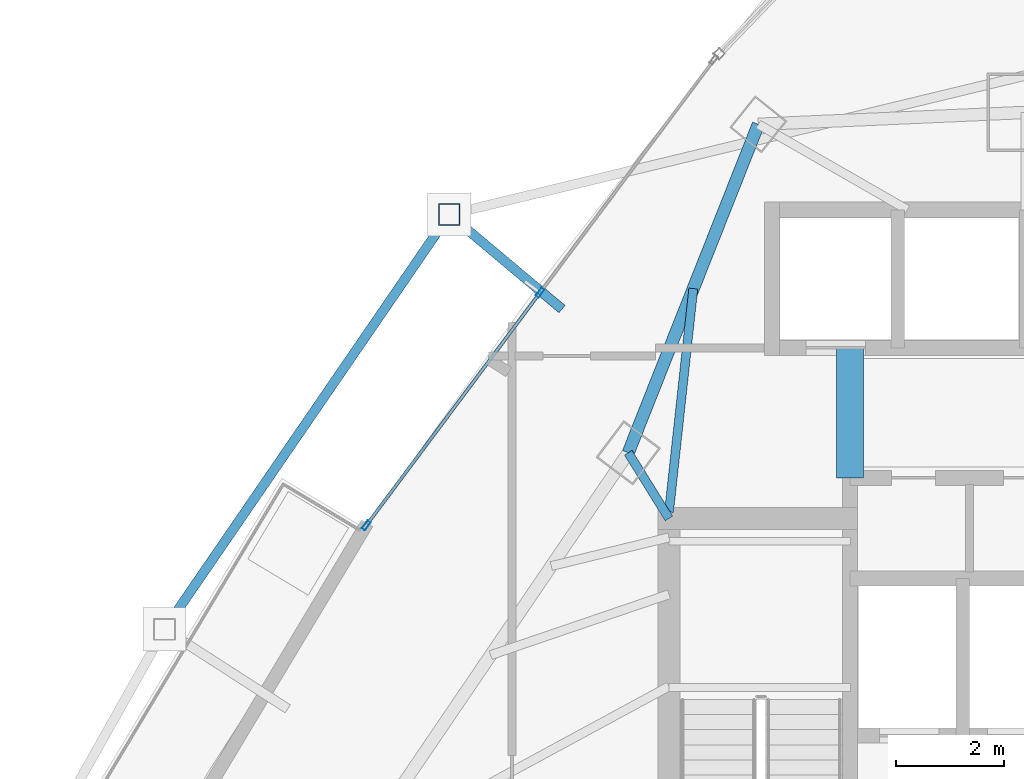
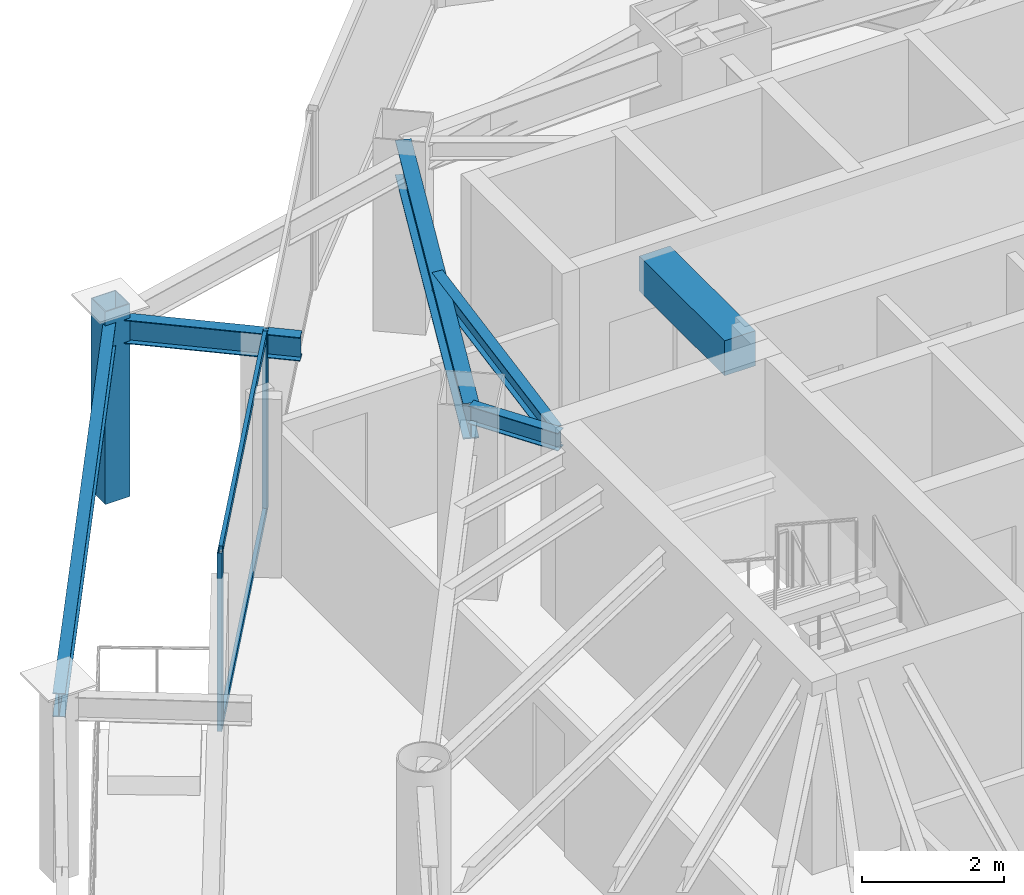
# One storey, part 19 of 29: 6 beams, 5 members, 1 element without a shape of its own.
"""IFC4 building model written with IfcOpenShell, lengths in metres."""

from ifc_helpers import new_model, si_unit, direction, frame, origin, origin_2d, place, context, subcontext, project, spatial, rectangle, hollow_rectangle, i_section, extrude, material, layer, layer_set, material_profile, profile_set, type_object, element, aggregate, save


model = new_model("IFC4")

# Units and contexts
model_context = context("Model", 3, precision=1e-05, world=origin(), true_north=direction((0.0, 1.0)))
body_context = subcontext(model_context, "Body", "Model", "MODEL_VIEW")
ifc_project = project(units=[si_unit("LENGTHUNIT", "METRE"), si_unit("AREAUNIT", "SQUARE_METRE"), si_unit("VOLUMEUNIT", "CUBIC_METRE"), si_unit("PLANEANGLEUNIT", "RADIAN"), si_unit("MASSUNIT", "GRAM", prefix="KILO")], contexts=[model_context])

# Site, building, storey
site_placement = place(None, origin())
site = spatial("IfcSite", under=ifc_project, at=site_placement, CompositionType="ELEMENT")
building_placement = place(site_placement, origin())
building = spatial("IfcBuilding", under=site, at=building_placement, Name="Orvanel Arch Residences", CompositionType="ELEMENT")
storey_placement = place(building_placement, frame((0.0, 0.0, 177.050048828125)))
storey = spatial("IfcBuildingStorey", under=building, at=storey_placement, Name="L50", CompositionType="ELEMENT", Elevation=177.050048828125)

# Beams
ifc_material_1 = material(Name="Structural steel AS/NZS 3679.1 Grade 300 (300 MPa)", Category="steel")
ifc_material_profile_1 = material_profile(ifc_material_1, i_section(OverallWidth=0.1650390625, OverallDepth=0.303955078125, WebThickness=0.006103515625, FlangeThickness=0.01025390625, at=origin_2d()), Name="310UB40.4")
ifc_profile_set_1 = profile_set([ifc_material_profile_1], Name="Structural steel AS/NZS 3679.1 Grade 300 (300 MPa)")
beam_type_1 = type_object("IfcBeamType", Name="BJ-310UB", PredefinedType="JOIST", material=ifc_profile_set_1)
beam_1_placement = place(storey_placement, frame((26.39990234375, 33.89990234375, 2.907958984375), z_axis=(-0.526843290616, 0.84996243866, 0.0), x_axis=(-0.84996243866, -0.526843290616, 0.0)))
element("IfcBeam", 1, at=beam_1_placement, inside=storey, type_object=beam_type_1, Name="L50 NNW Wing Floor Joist", PredefinedType="JOIST", context=body_context, shape_type="SweptSolid", body=[
    extrude(i_section(OverallWidth=0.1650390625, OverallDepth=0.303955078125, WebThickness=0.006103515625, FlangeThickness=0.01025390625, at=origin_2d()), origin(), (0.0, 0.0, 1.0), 1.42724609375),
])
beam_2_placement = place(storey_placement, frame((26.39990234375, 34.02001953125, 2.907958984375), z_axis=(0.108261441852, 0.99412245735, 0.0), x_axis=(-0.99412245735, 0.108261441852, 0.0)))
element("IfcBeam", 2, at=beam_2_placement, inside=storey, type_object=beam_type_1, Name="L50 NNW2 Wing Floor Joist", PredefinedType="JOIST", context=body_context, shape_type="SweptSolid", body=[
    extrude(i_section(OverallWidth=0.1650390625, OverallDepth=0.303955078125, WebThickness=0.006103515625, FlangeThickness=0.01025390625, at=origin_2d()), origin(), (0.0, 0.0, 1.0), 4.1494140625),
])
ifc_material_2 = material(Name="Concrete S65 (65 MPa)", Category="concrete")
ifc_material_profile_2 = material_profile(ifc_material_2, rectangle(XDim=0.5, YDim=0.60009765625, at=origin_2d()), Name="RC500x600")
ifc_profile_set_2 = profile_set([ifc_material_profile_2], Name="Concrete S65 (65 MPa)")
beam_type_2 = type_object("IfcBeamType", Name="CB-500x600", PredefinedType="LINTEL", material=ifc_profile_set_2)
beam_3_placement = place(storey_placement, frame((29.739990234375, 34.64990234375, 2.760009765625), z_axis=(0.0, 1.0, 0.0), x_axis=(-1.0, 0.0, 0.0)))
element("IfcBeam", 3, at=beam_3_placement, inside=storey, type_object=beam_type_2, Name="L50 West Core Lobby Coupling Lintel Beam", PredefinedType="LINTEL", context=body_context, shape_type="SweptSolid", body=[
    extrude(rectangle(XDim=0.5, YDim=0.60009765625, at=origin_2d()), origin(), (0.0, 0.0, 1.0), 2.400146484375),
])

# Curtain wall, members
ifc_material_3 = material(Name="Bronze-anodised aluminium AA6063-T6", Category="aluminium")
ifc_layer = layer(ifc_material_3, 0.179931640625)
ifc_layer_set = layer_set([ifc_layer], Name="Bronze-anodised aluminium AA6063-T6")
curtain_wall_type = type_object("IfcCurtainWallType", Name="CW3-MID-SYS", PredefinedType="NOTDEFINED", material=ifc_layer_set)
curtain_wall_placement = place(storey_placement, origin())
curtain_wall = element("IfcCurtainWall", 4, at=curtain_wall_placement, inside=storey, type_object=curtain_wall_type, Name="L50 CW3-MID-SYS Unitised Curtain Wall", PredefinedType="NOTDEFINED")
ifc_material_profile_3 = material_profile(ifc_material_3, hollow_rectangle(XDim=0.070068359375, YDim=0.179931640625, WallThickness=0.00439453125, at=origin_2d()), Name="ALU180x70x4.5")
ifc_profile_set_3 = profile_set([ifc_material_profile_3], Name="Bronze-anodised aluminium AA6063-T6")
member_type_1 = type_object("IfcMemberType", Name="MUL-180x70", PredefinedType="MULLION", material=ifc_profile_set_3)
member_1_placement = place(storey_placement, frame((24.01806640625, 38.069091796875, 0.0), z_axis=(0.0, 0.0, 1.0), x_axis=(0.801287325771, -0.598279718492, 0.0)))
member_1 = element("IfcMember", 5, at=member_1_placement, type_object=member_type_1, Name="CW-S3 mullion 2", PredefinedType="MULLION", context=body_context, shape_type="SweptSolid", body=[
    extrude(hollow_rectangle(XDim=0.070068359375, YDim=0.179931640625, WallThickness=0.00439453125, at=origin_2d()), origin(), (0.0, 0.0, 1.0), 3.06005859375),
])
member_2_placement = place(storey_placement, frame((20.808837890625, 33.77099609375, 0.0), z_axis=(0.0, 0.0, 1.0), x_axis=(0.801287325771, -0.598279718492, 0.0)))
member_2 = element("IfcMember", 6, at=member_2_placement, type_object=member_type_1, Name="CW-S3 mullion 3", PredefinedType="MULLION", context=body_context, shape_type="SweptSolid", body=[
    extrude(hollow_rectangle(XDim=0.070068359375, YDim=0.179931640625, WallThickness=0.00439453125, at=origin_2d()), origin(), (0.0, 0.0, 1.0), 3.06005859375),
])

# Beams
ifc_material_profile_4 = material_profile(ifc_material_1, i_section(OverallWidth=0.177978515625, OverallDepth=0.406005859375, WebThickness=0.0078125, FlangeThickness=0.0126953125, at=origin_2d()), Name="410UB59.7")
ifc_profile_set_4 = profile_set([ifc_material_profile_4], Name="Structural steel AS/NZS 3679.1 Grade 300 (300 MPa)")
beam_type_3 = type_object("IfcBeamType", Name="OB-410UB-EXT", PredefinedType="SPANDREL", material=ifc_profile_set_4)
beam_4_placement = place(storey_placement, frame((24.425048828125, 37.76611328125, 2.85693359375), z_axis=(-0.766258612411, 0.642532286275, 0.0), x_axis=(-0.642532286275, -0.766258612411, 0.0)))
element("IfcBeam", 7, at=beam_4_placement, inside=storey, type_object=beam_type_3, Name="L50 Outer Frame Radial Tie Beam 01", PredefinedType="SPANDREL", context=body_context, shape_type="SweptSolid", body=[
    extrude(i_section(OverallWidth=0.177978515625, OverallDepth=0.406005859375, WebThickness=0.0078125, FlangeThickness=0.0126953125, at=origin_2d()), origin(), (0.0, 0.0, 1.0), 2.717041015625),
])
beam_5_placement = place(storey_placement, frame((22.343017578125, 39.511962890625, 2.85693359375), z_axis=(-0.565911858994, -0.824465746923, 0.0), x_axis=(0.824465746923, -0.565911858994, 0.0)))
element("IfcBeam", 8, at=beam_5_placement, inside=storey, type_object=beam_type_3, Name="L50 Outer Perimeter Floor Ring Beam 01", PredefinedType="SPANDREL", context=body_context, shape_type="SweptSolid", body=[
    extrude(i_section(OverallWidth=0.177978515625, OverallDepth=0.406005859375, WebThickness=0.0078125, FlangeThickness=0.0126953125, at=origin_2d()), origin(), (0.0, 0.0, 1.0), 9.28955078125),
])
ifc_material_profile_5 = material_profile(ifc_material_1, i_section(OverallWidth=0.22900390625, OverallDepth=0.612060546875, WebThickness=0.011962890625, FlangeThickness=0.01953125, at=origin_2d()), Name="610UB125")
ifc_profile_set_5 = profile_set([ifc_material_profile_5], Name="Structural steel AS/NZS 3679.1 Grade 300 (300 MPa)")
beam_type_4 = type_object("IfcBeamType", Name="SP-610UB", PredefinedType="SPANDREL", material=ifc_profile_set_5)
beam_6_placement = place(storey_placement, frame((28.050048828125, 41.177978515625, 2.75390625), z_axis=(-0.368233143579, -0.929733484376, 0.0), x_axis=(0.929733484376, -0.368233143579, 0.0)))
element("IfcBeam", 9, at=beam_6_placement, inside=storey, type_object=beam_type_4, Name="L50 Perimeter Spandrel Beam 16", PredefinedType="SPANDREL", context=body_context, shape_type="SweptSolid", body=[
    extrude(i_section(OverallWidth=0.22900390625, OverallDepth=0.612060546875, WebThickness=0.011962890625, FlangeThickness=0.01953125, at=origin_2d()), origin(), (0.0, 0.0, 1.0), 6.523193359375),
])

# Member
ifc_material_4 = material(Name="Structural steel AS/NZS 1163 C450L0 (Grade 450)", Category="steel")
ifc_material_profile_6 = material_profile(ifc_material_4, hollow_rectangle(XDim=0.39990234375, YDim=0.39990234375, WallThickness=0.01611328125, at=origin_2d()), Name="SHS400x400x16")
ifc_profile_set_6 = profile_set([ifc_material_profile_6], Name="Structural steel AS/NZS 1163 C450L0 (Grade 450)")
member_type_2 = type_object("IfcMemberType", Name="ST-400SHS-EXT", PredefinedType="STRUT", material=ifc_profile_set_6)
member_3_placement = place(storey_placement, frame((22.343017578125, 39.511962890625, 0.0), z_axis=(0.0, 0.0, 1.0), x_axis=(1.0, 0.0, 0.0)))
element("IfcMember", 10, at=member_3_placement, inside=storey, type_object=member_type_2, Name="L50 Outer Perimeter Frame Post 01", PredefinedType="STRUT", context=body_context, shape_type="SweptSolid", body=[
    extrude(hollow_rectangle(XDim=0.39990234375, YDim=0.39990234375, WallThickness=0.01611328125, at=origin_2d()), origin(), (0.0, 0.0, 1.0), 3.300048828125),
])

ifc_material_profile_7 = material_profile(ifc_material_3, hollow_rectangle(XDim=0.06005859375, YDim=0.135009765625, WallThickness=0.00390625, at=origin_2d()), Name="ALU135x60x4")
ifc_profile_set_7 = profile_set([ifc_material_profile_7], Name="Bronze-anodised aluminium AA6063-T6")
member_type_3 = type_object("IfcMemberType", Name="TRN-135x60", PredefinedType="USERDEFINED", material=ifc_profile_set_7)
member_4_placement = place(storey_placement, frame((23.9970703125, 38.041015625, 0.030029296875), z_axis=(-0.598279362575, -0.801287591516, 0.0), x_axis=(0.801287591516, -0.598279362575, 0.0)))
member_4 = element("IfcMember", 11, at=member_4_placement, type_object=member_type_3, Name="CW-S3 transom 2.1", ObjectType="TRANSOM", PredefinedType="USERDEFINED", context=body_context, shape_type="SweptSolid", body=[
    extrude(hollow_rectangle(XDim=0.06005859375, YDim=0.135009765625, WallThickness=0.00390625, at=origin_2d()), origin(), (0.0, 0.0, 1.0), 5.2939453125),
])

member_5_placement = place(storey_placement, frame((23.9970703125, 38.041015625, 3.030029296875), z_axis=(-0.598279362575, -0.801287591516, 0.0), x_axis=(0.801287591516, -0.598279362575, 0.0)))
member_5 = element("IfcMember", 12, at=member_5_placement, type_object=member_type_3, Name="CW-S3 transom 2.2", ObjectType="TRANSOM", PredefinedType="USERDEFINED", context=body_context, shape_type="SweptSolid", body=[
    extrude(hollow_rectangle(XDim=0.06005859375, YDim=0.135009765625, WallThickness=0.00390625, at=origin_2d()), origin(), (0.0, 0.0, 1.0), 5.2939453125),
])

aggregate(curtain_wall, [member_1, member_2, member_4, member_5])

save(model, "model.ifc")
